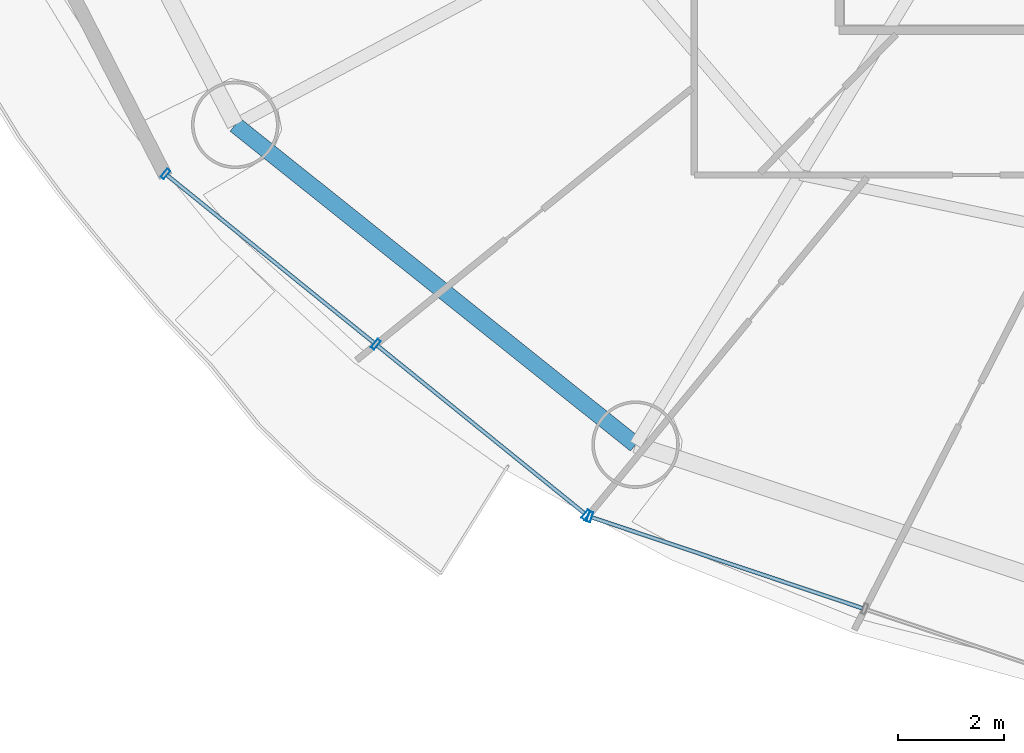
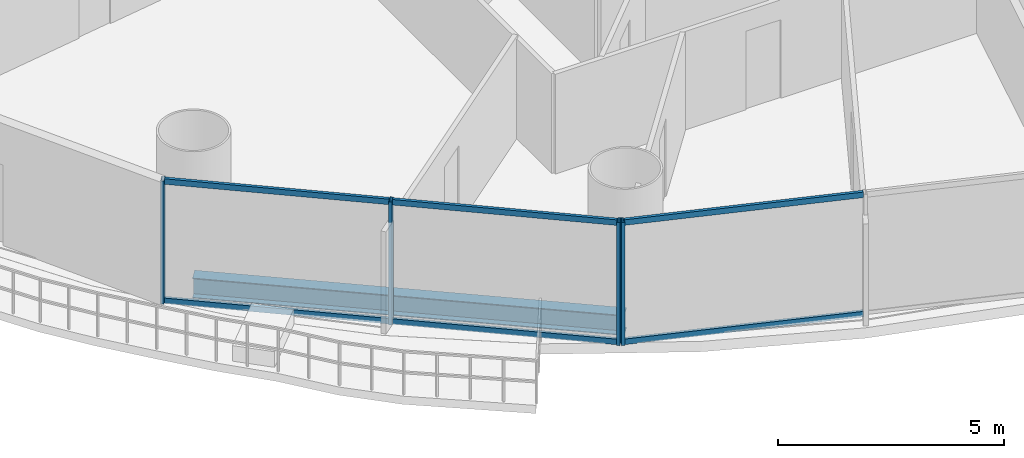
# One storey, part 2 of 30: 10 members, 1 beam, 2 elements without a shape of their own.
"""IFC4 building model written with IfcOpenShell, lengths in metres."""

from ifc_helpers import new_model, si_unit, direction, frame, origin, origin_2d, place, context, subcontext, project, spatial, hollow_rectangle, i_section, extrude, source, transform, mapped, material, material_profile, profile_set, type_object, element, aggregate, save


model = new_model("IFC4")

# Units and contexts
model_context = context("Model", 3, precision=1e-05, world=origin(), true_north=direction((-0.2419218956, 0.970295726276)))
body_context = subcontext(model_context, "Body", "Model", "MODEL_VIEW")
ifc_project = project(units=[si_unit("LENGTHUNIT", "METRE"), si_unit("AREAUNIT", "SQUARE_METRE"), si_unit("VOLUMEUNIT", "CUBIC_METRE"), si_unit("PLANEANGLEUNIT", "RADIAN"), si_unit("MASSUNIT", "GRAM", prefix="KILO")], contexts=[model_context])

# Site, building, storey
site_placement = place(None, origin())
site = spatial("IfcSite", under=ifc_project, at=site_placement, CompositionType="ELEMENT")
building_placement = place(site_placement, origin())
building = spatial("IfcBuilding", under=site, at=building_placement, Name="Cobrevalo Terracotta Tower", CompositionType="ELEMENT")
storey_placement = place(building_placement, frame((0.0, 0.0, 27.60009765625)))
storey = spatial("IfcBuildingStorey", under=building, at=storey_placement, Name="L06", CompositionType="ELEMENT", Elevation=27.60009765625)

# Beam
ifc_material_1 = material(Name="Steel S355", Category="steel")
ifc_material_profile_1 = material_profile(ifc_material_1, i_section(OverallWidth=0.31201171875, OverallDepth=0.54296875, WebThickness=0.0126953125, FlangeThickness=0.020263671875, at=origin_2d()), Name="W 530x150")
ifc_profile_set_1 = profile_set([ifc_material_profile_1], Name="Steel S355")
beam_type = type_object("IfcBeamType", Name="Structural Spandrel W 530x150 (Steel S355)", PredefinedType="SPANDREL", material=ifc_profile_set_1)
beam_placement = place(storey_placement, frame((15.25927734375, 14.660888671875, -0.551513671875), z_axis=(0.781280479891, -0.62418011162, 0.0), x_axis=(0.62418011162, 0.781280479891, 0.0)))
element("IfcBeam", 1, at=beam_placement, inside=storey, type_object=beam_type, Name="L06 perimeter ring spandrel 10", PredefinedType="SPANDREL", context=body_context, shape_type="SweptSolid", body=[
    extrude(i_section(OverallWidth=0.31201171875, OverallDepth=0.54296875, WebThickness=0.0126953125, FlangeThickness=0.020263671875, at=origin_2d()), origin(), (0.0, 0.0, 1.0), 9.658447265625),
])

# Curtain wall, members
ifc_material_2 = material(Name="Anodized aluminium", Category="aluminium")
curtain_wall_type = type_object("IfcCurtainWallType", Name="Lower-tower unitised acoustic low-E curtain wall CW-U1", PredefinedType="NOTDEFINED", material=ifc_material_2)
curtain_wall_1_placement = place(storey_placement, origin())
curtain_wall_1 = element("IfcCurtainWall", 2, at=curtain_wall_1_placement, inside=storey, type_object=curtain_wall_type, Name="L06 curtain wall CW-L06-S10", PredefinedType="NOTDEFINED")
ifc_material_profile_2 = material_profile(ifc_material_2, hollow_rectangle(XDim=0.074951171875, YDim=0.14990234375, WallThickness=0.00439453125, at=origin_2d()), Name="CWT 75x150")
ifc_profile_set_2 = profile_set([ifc_material_profile_2], Name="Anodized aluminium")
member_type_1 = type_object("IfcMemberType", Name="Tower unitised aluminium transom 75x150", PredefinedType="USERDEFINED", material=ifc_profile_set_2)
shared_shape_1 = source(origin(), body_context, "Body", "SweptSolid", [
    extrude(hollow_rectangle(XDim=0.074951171875, YDim=0.14990234375, WallThickness=0.00439453125, at=origin_2d()), origin(), (0.0, 0.0, 1.0), 5.0234375),
])
member_1_placement = place(storey_placement, frame((13.974365234375, 13.71044921875, 0.0498046875), z_axis=(0.777022991593, -0.629472215857, 0.0), x_axis=(0.629472215857, 0.777022991593, 0.0)))
member_1 = element("IfcMember", 3, at=member_1_placement, type_object=member_type_1, Name="CW-L06-S10 transom B01-T1", ObjectType="TRANSOM", PredefinedType="USERDEFINED", context=body_context, shape_type="MappedRepresentation", body=[
    mapped(shared_shape_1, transform((0.0, 0.0, 0.0), scale=1.0)),
])
member_2_placement = place(storey_placement, frame((13.974365234375, 13.71044921875, 3.27001953125), z_axis=(0.777022991593, -0.629472215857, 0.0), x_axis=(0.629472215857, 0.777022991593, 0.0)))
member_2 = element("IfcMember", 4, at=member_2_placement, type_object=member_type_1, Name="CW-L06-S10 transom B01-T2", ObjectType="TRANSOM", PredefinedType="USERDEFINED", context=body_context, shape_type="MappedRepresentation", body=[
    mapped(shared_shape_1, transform((0.0, 0.0, 0.0), scale=1.0)),
])
member_3_placement = place(storey_placement, frame((17.939697265625, 10.497802734375, 0.0498046875), z_axis=(0.777022991593, -0.629472215857, 0.0), x_axis=(0.629472215857, 0.777022991593, 0.0)))
member_3 = element("IfcMember", 5, at=member_3_placement, type_object=member_type_1, Name="CW-L06-S10 transom B02-T1", ObjectType="TRANSOM", PredefinedType="USERDEFINED", context=body_context, shape_type="MappedRepresentation", body=[
    mapped(shared_shape_1, transform((0.0, 0.0, 0.0), scale=1.0)),
])
member_4_placement = place(storey_placement, frame((17.939697265625, 10.497802734375, 3.27001953125), z_axis=(0.777022991593, -0.629472215857, 0.0), x_axis=(0.629472215857, 0.777022991593, 0.0)))
member_4 = element("IfcMember", 6, at=member_4_placement, type_object=member_type_1, Name="CW-L06-S10 transom B02-T2", ObjectType="TRANSOM", PredefinedType="USERDEFINED", context=body_context, shape_type="MappedRepresentation", body=[
    mapped(shared_shape_1, transform((0.0, 0.0, 0.0), scale=1.0)),
])

curtain_wall_2_placement = place(storey_placement, origin())
curtain_wall_2 = element("IfcCurtainWall", 7, at=curtain_wall_2_placement, inside=storey, type_object=curtain_wall_type, Name="L06 curtain wall CW-L06-S11", PredefinedType="NOTDEFINED")
shared_shape_2 = source(origin(), body_context, "Body", "SweptSolid", [
    extrude(hollow_rectangle(XDim=0.074951171875, YDim=0.14990234375, WallThickness=0.00439453125, at=origin_2d()), origin(), (0.0, 0.0, 1.0), 5.387939453125),
])
member_5_placement = place(storey_placement, frame((21.98095703125, 7.260009765625, 0.0498046875), z_axis=(0.94804244582, -0.318143868278, 0.0), x_axis=(0.318143868278, 0.94804244582, 0.0)))
member_5 = element("IfcMember", 8, at=member_5_placement, type_object=member_type_1, Name="CW-L06-S11 transom B01-T1", ObjectType="TRANSOM", PredefinedType="USERDEFINED", context=body_context, shape_type="MappedRepresentation", body=[
    mapped(shared_shape_2, transform((0.0, 0.0, 0.0), scale=1.0)),
])
member_6_placement = place(storey_placement, frame((21.98095703125, 7.260009765625, 3.27001953125), z_axis=(0.94804244582, -0.318143868278, 0.0), x_axis=(0.318143868278, 0.94804244582, 0.0)))
member_6 = element("IfcMember", 9, at=member_6_placement, type_object=member_type_1, Name="CW-L06-S11 transom B01-T2", ObjectType="TRANSOM", PredefinedType="USERDEFINED", context=body_context, shape_type="MappedRepresentation", body=[
    mapped(shared_shape_2, transform((0.0, 0.0, 0.0), scale=1.0)),
])

# Member
ifc_material_profile_3 = material_profile(ifc_material_2, hollow_rectangle(XDim=0.074951171875, YDim=0.199951171875, WallThickness=0.0048828125, at=origin_2d()), Name="CWM 75x200")
ifc_profile_set_3 = profile_set([ifc_material_profile_3], Name="Anodized aluminium")
member_type_2 = type_object("IfcMemberType", Name="Lower/mid tower unitised mullion 75x200", PredefinedType="MULLION", material=ifc_profile_set_3)
shared_shape_3 = source(origin(), body_context, "Body", "SweptSolid", [
    extrude(hollow_rectangle(XDim=0.074951171875, YDim=0.199951171875, WallThickness=0.0048828125, at=origin_2d()), origin(), (0.0, 0.0, 1.0), 3.31982421875),
])
member_7_placement = place(storey_placement, frame((13.943359375, 13.735595703125, 0.0), z_axis=(0.0, 0.0, 1.0), x_axis=(0.777003153187, -0.629496703675, 0.0)))
member_7 = element("IfcMember", 10, at=member_7_placement, type_object=member_type_2, Name="CW-L06-S10 vertical mullion 01", PredefinedType="MULLION", context=body_context, shape_type="MappedRepresentation", body=[
    mapped(shared_shape_3, transform((0.0, 0.0, 0.0), scale=1.0)),
])

member_8_placement = place(storey_placement, frame((17.90869140625, 10.523193359375, 0.0), z_axis=(0.0, 0.0, 1.0), x_axis=(0.777003153187, -0.629496703675, 0.0)))
member_8 = element("IfcMember", 11, at=member_8_placement, type_object=member_type_2, Name="CW-L06-S10 vertical mullion 02", PredefinedType="MULLION", context=body_context, shape_type="MappedRepresentation", body=[
    mapped(shared_shape_3, transform((0.0, 0.0, 0.0), scale=1.0)),
])

member_9_placement = place(storey_placement, frame((21.8740234375, 7.310546875, 0.0), z_axis=(0.0, 0.0, 1.0), x_axis=(0.777003153187, -0.629496703675, 0.0)))
member_9 = element("IfcMember", 12, at=member_9_placement, type_object=member_type_2, Name="CW-L06-S10 vertical mullion 03", PredefinedType="MULLION", context=body_context, shape_type="MappedRepresentation", body=[
    mapped(shared_shape_3, transform((0.0, 0.0, 0.0), scale=1.0)),
])

aggregate(curtain_wall_1, [member_7, member_8, member_9, member_1, member_2, member_3, member_4])

member_10_placement = place(storey_placement, frame((21.943115234375, 7.272705078125, 0.0), z_axis=(0.0, 0.0, 1.0), x_axis=(0.948046393597, -0.318132103987, 0.0)))
member_10 = element("IfcMember", 13, at=member_10_placement, type_object=member_type_2, Name="CW-L06-S11 vertical mullion 01", PredefinedType="MULLION", context=body_context, shape_type="MappedRepresentation", body=[
    mapped(shared_shape_3, transform((0.0, 0.0, 0.0), scale=1.0)),
])

aggregate(curtain_wall_2, [member_10, member_5, member_6])

save(model, "model.ifc")
